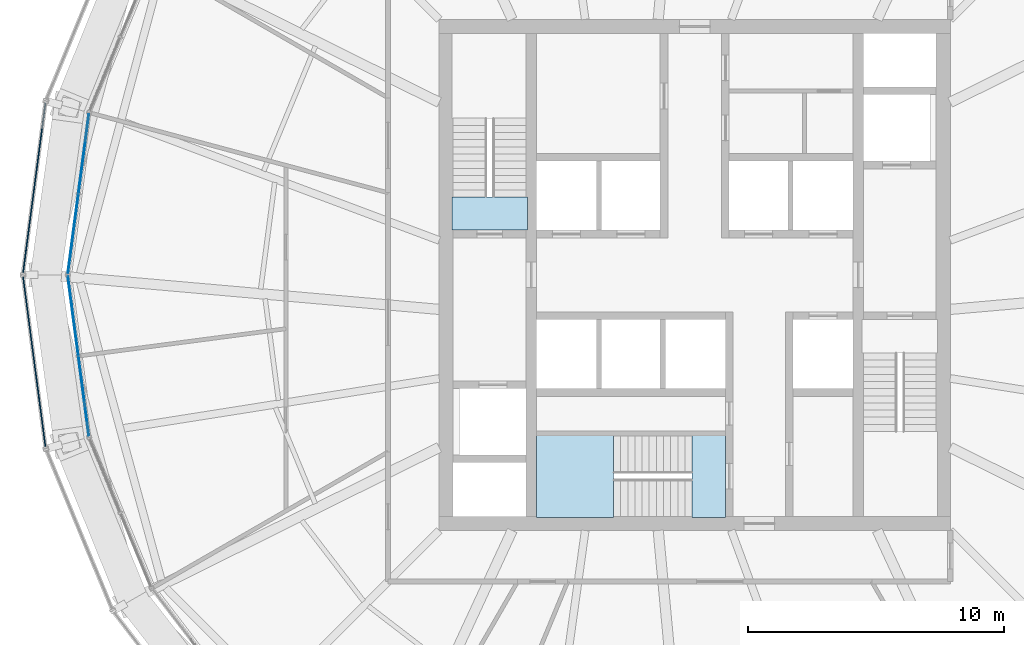
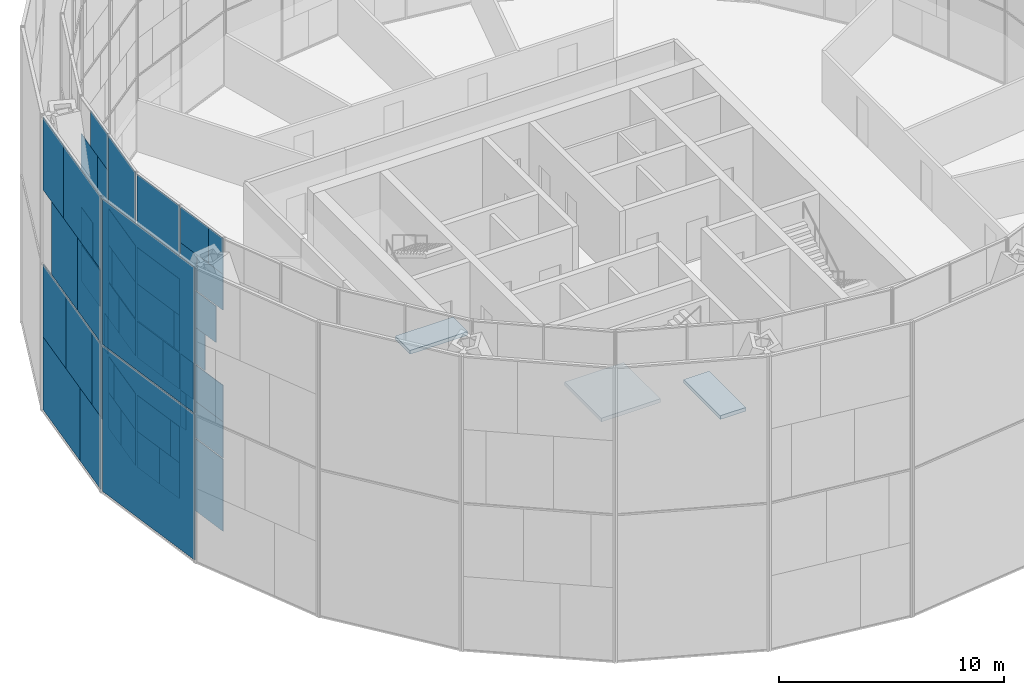
# One storey, part 16 of 29: 57 plates, 3 slabs, 5 elements without a shape of their own.
"""IFC4 building model written with IfcOpenShell, lengths in metres."""

from ifc_helpers import new_model, si_unit, direction, frame, origin, origin_2d, place, context, subcontext, project, spatial, polyline, rectangle, outline, extrude, material, layer, layer_set, type_object, element, aggregate, save


model = new_model("IFC4")

# Units and contexts
model_context = context("Model", 3, precision=1e-05, world=origin(), true_north=direction((0.0, 1.0)))
body_context = subcontext(model_context, "Body", "Model", "MODEL_VIEW")
ifc_project = project(units=[si_unit("LENGTHUNIT", "METRE"), si_unit("AREAUNIT", "SQUARE_METRE"), si_unit("VOLUMEUNIT", "CUBIC_METRE"), si_unit("PLANEANGLEUNIT", "RADIAN"), si_unit("MASSUNIT", "GRAM", prefix="KILO")], contexts=[model_context])

# Site, building, storey
site_placement = place(None, origin())
site = spatial("IfcSite", under=ifc_project, at=site_placement, CompositionType="ELEMENT")
building_placement = place(site_placement, origin())
building = spatial("IfcBuilding", under=site, at=building_placement, Name="Golbaran Civic Tower", CompositionType="ELEMENT")
storey_placement = place(building_placement, frame((0.0, 0.0, 118.0)))
storey = spatial("IfcBuildingStorey", under=building, at=storey_placement, Name="L28", CompositionType="ELEMENT", Elevation=118.0)

# Curtain wall, plates
ifc_material_1 = material(Name="Aluminium and glass", Category="aluminium")
curtain_wall_type_1 = type_object("IfcCurtainWallType", Name="INNER SKIN CURTAIN WALL", PredefinedType="NOTDEFINED", material=ifc_material_1)
curtain_wall_1_placement = place(storey_placement, origin())
curtain_wall_1 = element("IfcCurtainWall", 1, at=curtain_wall_1_placement, inside=storey, type_object=curtain_wall_type_1, Name="Inner skin L28 facet 12 CW1", ObjectType="INNER SKIN", PredefinedType="USERDEFINED")
ifc_material_2 = material(Name="Clear insulating glass", Category="glass")
ifc_layer_1 = layer(ifc_material_2, 0.031982421875, Name="Clear insulating glass")
ifc_layer_set_1 = layer_set([ifc_layer_1], Name="Clear insulating glass")
plate_type_1 = type_object("IfcPlateType", Name="INNER SKIN CURTAIN WALL GLAZED PANEL", PredefinedType="CURTAIN_PANEL", material=ifc_layer_set_1)
plate_1_placement = place(storey_placement, frame((-23.9091796875, 4.746337890625, 0.06494140625), z_axis=(0.0, 0.0, 1.0), x_axis=(-0.130526192237, -0.991444861372, 0.0)))
plate_1 = element("IfcPlate", 2, at=plate_1_placement, type_object=plate_type_1, Name="CW1 panel 1.1", PredefinedType="CURTAIN_PANEL", context=body_context, shape_type="SweptSolid", body=[
    extrude(rectangle(XDim=3.104736328125, YDim=0.031982421875, at=origin_2d()), origin(), (0.0, 0.0, 1.0), 3.902587890625),
])
plate_2_placement = place(storey_placement, frame((-23.8828125, 4.945556640625, 4.03271484375), z_axis=(0.0, 0.0, 1.0), x_axis=(-0.130526192237, -0.991444861372, 0.0)))
plate_2 = element("IfcPlate", 3, at=plate_2_placement, type_object=plate_type_1, Name="CW1 panel 1.2 part 1", PredefinedType="CURTAIN_PANEL", context=body_context, shape_type="SweptSolid", body=[
    extrude(rectangle(XDim=2.702880859375, YDim=0.031982421875, at=origin_2d()), origin(), (0.0, 0.0, 1.0), 1.967529296875),
])
plate_3_placement = place(storey_placement, frame((-23.847900390625, 5.211669921875, 6.0), z_axis=(0.0, 0.0, 1.0), x_axis=(-0.130526192237, -0.991444861372, 0.0)))
plate_3 = element("IfcPlate", 4, at=plate_3_placement, type_object=plate_type_1, Name="CW1 panel 1.2 part 3", PredefinedType="CURTAIN_PANEL", context=body_context, shape_type="SweptSolid", body=[
    extrude(rectangle(XDim=2.166015625, YDim=0.031982421875, at=origin_2d()), origin(), (0.0, 0.0, 1.0), 1.967529296875),
])
plate_4_placement = place(storey_placement, frame((-23.79296875, 5.628662109375, 8.03271484375), z_axis=(0.0, 0.0, 1.0), x_axis=(-0.130526192237, -0.991444861372, 0.0)))
plate_4 = element("IfcPlate", 5, at=plate_4_placement, type_object=plate_type_1, Name="CW1 panel 1.3 part 1", PredefinedType="CURTAIN_PANEL", context=body_context, shape_type="SweptSolid", body=[
    extrude(rectangle(XDim=1.324951171875, YDim=0.031982421875, at=origin_2d()), origin(), (0.0, 0.0, 1.0), 1.967529296875),
])
plate_5_placement = place(storey_placement, frame((-24.031494140625, 3.81787109375, 12.032470703125), z_axis=(0.0, 0.0, 1.0), x_axis=(-0.130526192237, -0.991444861372, 0.0)))
plate_5 = element("IfcPlate", 6, at=plate_5_placement, type_object=plate_type_1, Name="CW1 panel 1.4 part 2", PredefinedType="CURTAIN_PANEL", context=body_context, shape_type="SweptSolid", body=[
    extrude(rectangle(XDim=1.23193359375, YDim=0.031982421875, at=origin_2d()), origin(), (0.0, 0.0, 1.0), 1.951171875),
])
plate_6_placement = place(storey_placement, frame((-23.978759765625, 4.21826171875, 13.98388671875), z_axis=(0.0, 0.0, 1.0), x_axis=(-0.130526192237, -0.991444861372, 0.0)))
plate_6 = element("IfcPlate", 7, at=plate_6_placement, type_object=plate_type_1, Name="CW1 panel 1.4 part 4", PredefinedType="CURTAIN_PANEL", context=body_context, shape_type="SweptSolid", body=[
    extrude(rectangle(XDim=2.039794921875, YDim=0.031982421875, at=origin_2d()), origin(), (0.0, 0.0, 1.0), 1.951171875),
])
plate_7_placement = place(storey_placement, frame((-24.215576171875, 2.41943359375, 0.06494140625), z_axis=(0.0, 0.0, 1.0), x_axis=(-0.130526192237, -0.991444861372, 0.0)))
plate_7 = element("IfcPlate", 8, at=plate_7_placement, type_object=plate_type_1, Name="CW1 panel 2.1 part 1", PredefinedType="CURTAIN_PANEL", context=body_context, shape_type="SweptSolid", body=[
    extrude(rectangle(XDim=1.458984375, YDim=0.031982421875, at=origin_2d()), origin(), (0.0, 0.0, 1.0), 1.951171875),
])
plate_8_placement = place(storey_placement, frame((-24.162841796875, 2.820068359375, 2.016357421875), z_axis=(0.0, 0.0, 1.0), x_axis=(-0.130526192237, -0.991444861372, 0.0)))
plate_8 = element("IfcPlate", 9, at=plate_8_placement, type_object=plate_type_1, Name="CW1 panel 2.1 part 3", PredefinedType="CURTAIN_PANEL", context=body_context, shape_type="SweptSolid", body=[
    extrude(rectangle(XDim=0.65087890625, YDim=0.031982421875, at=origin_2d()), origin(), (0.0, 0.0, 1.0), 1.951171875),
])
plate_9_placement = place(storey_placement, frame((-24.454345703125, 0.605224609375, 4.03271484375), z_axis=(0.0, 0.0, 1.0), x_axis=(-0.130526192237, -0.991444861372, 0.0)))
plate_9 = element("IfcPlate", 10, at=plate_9_placement, type_object=plate_type_1, Name="CW1 panel 2.2 part 2", PredefinedType="CURTAIN_PANEL", context=body_context, shape_type="SweptSolid", body=[
    extrude(rectangle(XDim=1.0908203125, YDim=0.031982421875, at=origin_2d()), origin(), (0.0, 0.0, 1.0), 1.967529296875),
])
plate_10_placement = place(storey_placement, frame((-24.401123046875, 1.00927734375, 6.0), z_axis=(0.0, 0.0, 1.0), x_axis=(-0.130526192237, -0.991444861372, 0.0)))
plate_10 = element("IfcPlate", 11, at=plate_10_placement, type_object=plate_type_1, Name="CW1 panel 2.2 part 4", PredefinedType="CURTAIN_PANEL", context=body_context, shape_type="SweptSolid", body=[
    extrude(rectangle(XDim=1.90576171875, YDim=0.031982421875, at=origin_2d()), origin(), (0.0, 0.0, 1.0), 1.967529296875),
])
plate_11_placement = place(storey_placement, frame((-24.348876953125, 1.4052734375, 8.03271484375), z_axis=(0.0, 0.0, 1.0), x_axis=(-0.130526192237, -0.991444861372, 0.0)))
plate_11 = element("IfcPlate", 12, at=plate_11_placement, type_object=plate_type_1, Name="CW1 panel 2.3 part 2", PredefinedType="CURTAIN_PANEL", context=body_context, shape_type="SweptSolid", body=[
    extrude(rectangle(XDim=2.704833984375, YDim=0.031982421875, at=origin_2d()), origin(), (0.0, 0.0, 1.0), 1.967529296875),
])
plate_12_placement = place(storey_placement, frame((-24.322998046875, 1.603515625, 10.0), z_axis=(0.0, 0.0, 1.0), x_axis=(-0.130526192237, -0.991444861372, 0.0)))
plate_12 = element("IfcPlate", 13, at=plate_12_placement, type_object=plate_type_1, Name="CW1 panel 2.3 part 3", PredefinedType="CURTAIN_PANEL", context=body_context, shape_type="SweptSolid", body=[
    extrude(rectangle(XDim=3.104736328125, YDim=0.031982421875, at=origin_2d()), origin(), (0.0, 0.0, 1.0), 1.967529296875),
])
plate_13_placement = place(storey_placement, frame((-24.322998046875, 1.603515625, 12.0322265625), z_axis=(0.0, 0.0, 1.0), x_axis=(-0.130526192237, -0.991444861372, 0.0)))
plate_13 = element("IfcPlate", 14, at=plate_13_placement, type_object=plate_type_1, Name="CW1 panel 2.4", PredefinedType="CURTAIN_PANEL", context=body_context, shape_type="SweptSolid", body=[
    extrude(rectangle(XDim=3.104736328125, YDim=0.031982421875, at=origin_2d()), origin(), (0.0, 0.0, 1.0), 3.902587890625),
])

curtain_wall_2_placement = place(storey_placement, origin())
curtain_wall_2 = element("IfcCurtainWall", 15, at=curtain_wall_2_placement, inside=storey, type_object=curtain_wall_type_1, Name="Inner skin L28 facet 13 CW1", ObjectType="INNER SKIN", PredefinedType="USERDEFINED")
plate_14_placement = place(storey_placement, frame((-24.215576171875, -2.41943359375, 0.06494140625), z_axis=(0.0, 0.0, 1.0), x_axis=(0.130526192237, -0.991444861372, 0.0)))
plate_14 = element("IfcPlate", 16, at=plate_14_placement, type_object=plate_type_1, Name="CW1 panel 1.1 part 2", PredefinedType="CURTAIN_PANEL", context=body_context, shape_type="SweptSolid", body=[
    extrude(rectangle(XDim=1.458740234375, YDim=0.031982421875, at=origin_2d()), origin(), (0.0, 0.0, 1.0), 1.951171875),
])
plate_15_placement = place(storey_placement, frame((-24.162841796875, -2.819580078125, 2.016357421875), z_axis=(0.0, 0.0, 1.0), x_axis=(0.130526192237, -0.991444861372, 0.0)))
plate_15 = element("IfcPlate", 17, at=plate_15_placement, type_object=plate_type_1, Name="CW1 panel 1.1 part 4", PredefinedType="CURTAIN_PANEL", context=body_context, shape_type="SweptSolid", body=[
    extrude(rectangle(XDim=0.65185546875, YDim=0.031982421875, at=origin_2d()), origin(), (0.0, 0.0, 1.0), 1.951171875),
])
plate_16_placement = place(storey_placement, frame((-24.454345703125, -0.605224609375, 4.03271484375), z_axis=(0.0, 0.0, 1.0), x_axis=(0.130526192237, -0.991444861372, 0.0)))
plate_16 = element("IfcPlate", 18, at=plate_16_placement, type_object=plate_type_1, Name="CW1 panel 1.2 part 1", PredefinedType="CURTAIN_PANEL", context=body_context, shape_type="SweptSolid", body=[
    extrude(rectangle(XDim=1.091064453125, YDim=0.031982421875, at=origin_2d()), origin(), (0.0, 0.0, 1.0), 1.967529296875),
])
plate_17_placement = place(storey_placement, frame((-24.401123046875, -1.0087890625, 6.0), z_axis=(0.0, 0.0, 1.0), x_axis=(0.130526192237, -0.991444861372, 0.0)))
plate_17 = element("IfcPlate", 19, at=plate_17_placement, type_object=plate_type_1, Name="CW1 panel 1.2 part 3", PredefinedType="CURTAIN_PANEL", context=body_context, shape_type="SweptSolid", body=[
    extrude(rectangle(XDim=1.905029296875, YDim=0.031982421875, at=origin_2d()), origin(), (0.0, 0.0, 1.0), 1.967529296875),
])
plate_18_placement = place(storey_placement, frame((-24.34912109375, -1.404296875, 8.03271484375), z_axis=(0.0, 0.0, 1.0), x_axis=(0.130526192237, -0.991444861372, 0.0)))
plate_18 = element("IfcPlate", 20, at=plate_18_placement, type_object=plate_type_1, Name="CW1 panel 1.3 part 1", PredefinedType="CURTAIN_PANEL", context=body_context, shape_type="SweptSolid", body=[
    extrude(rectangle(XDim=2.702880859375, YDim=0.031982421875, at=origin_2d()), origin(), (0.0, 0.0, 1.0), 1.967529296875),
])
plate_19_placement = place(storey_placement, frame((-24.322998046875, -1.603515625, 10.0), z_axis=(0.0, 0.0, 1.0), x_axis=(0.130526192237, -0.991444861372, 0.0)))
plate_19 = element("IfcPlate", 21, at=plate_19_placement, type_object=plate_type_1, Name="CW1 panel 1.3 part 3", PredefinedType="CURTAIN_PANEL", context=body_context, shape_type="SweptSolid", body=[
    extrude(rectangle(XDim=3.104736328125, YDim=0.031982421875, at=origin_2d()), origin(), (0.0, 0.0, 1.0), 1.967529296875),
])
plate_20_placement = place(storey_placement, frame((-24.322998046875, -1.603515625, 12.0322265625), z_axis=(0.0, 0.0, 1.0), x_axis=(0.130526192237, -0.991444861372, 0.0)))
plate_20 = element("IfcPlate", 22, at=plate_20_placement, type_object=plate_type_1, Name="CW1 panel 1.4", PredefinedType="CURTAIN_PANEL", context=body_context, shape_type="SweptSolid", body=[
    extrude(rectangle(XDim=3.104736328125, YDim=0.031982421875, at=origin_2d()), origin(), (0.0, 0.0, 1.0), 3.902587890625),
])
plate_21_placement = place(storey_placement, frame((-23.9091796875, -4.746337890625, 0.06494140625), z_axis=(0.0, 0.0, 1.0), x_axis=(0.130526192237, -0.991444861372, 0.0)))
plate_21 = element("IfcPlate", 23, at=plate_21_placement, type_object=plate_type_1, Name="CW1 panel 2.1", PredefinedType="CURTAIN_PANEL", context=body_context, shape_type="SweptSolid", body=[
    extrude(rectangle(XDim=3.104736328125, YDim=0.031982421875, at=origin_2d()), origin(), (0.0, 0.0, 1.0), 3.902587890625),
])
plate_22_placement = place(storey_placement, frame((-23.883056640625, -4.945068359375, 4.03271484375), z_axis=(0.0, 0.0, 1.0), x_axis=(0.130526192237, -0.991444861372, 0.0)))
plate_22 = element("IfcPlate", 24, at=plate_22_placement, type_object=plate_type_1, Name="CW1 panel 2.2 part 2", PredefinedType="CURTAIN_PANEL", context=body_context, shape_type="SweptSolid", body=[
    extrude(rectangle(XDim=2.703857421875, YDim=0.031982421875, at=origin_2d()), origin(), (0.0, 0.0, 1.0), 1.967529296875),
])
plate_23_placement = place(storey_placement, frame((-23.847900390625, -5.211669921875, 6.0), z_axis=(0.0, 0.0, 1.0), x_axis=(0.130526192237, -0.991444861372, 0.0)))
plate_23 = element("IfcPlate", 25, at=plate_23_placement, type_object=plate_type_1, Name="CW1 panel 2.2 part 4", PredefinedType="CURTAIN_PANEL", context=body_context, shape_type="SweptSolid", body=[
    extrude(rectangle(XDim=2.165771484375, YDim=0.031982421875, at=origin_2d()), origin(), (0.0, 0.0, 1.0), 1.967529296875),
])
plate_24_placement = place(storey_placement, frame((-24.03125, -3.81787109375, 12.032470703125), z_axis=(0.0, 0.0, 1.0), x_axis=(0.130526192237, -0.991444861372, 0.0)))
plate_24 = element("IfcPlate", 26, at=plate_24_placement, type_object=plate_type_1, Name="CW1 panel 2.4 part 1", PredefinedType="CURTAIN_PANEL", context=body_context, shape_type="SweptSolid", body=[
    extrude(rectangle(XDim=1.23193359375, YDim=0.031982421875, at=origin_2d()), origin(), (0.0, 0.0, 1.0), 1.951171875),
])
plate_25_placement = place(storey_placement, frame((-23.978515625, -4.218505859375, 13.98388671875), z_axis=(0.0, 0.0, 1.0), x_axis=(0.130526192237, -0.991444861372, 0.0)))
plate_25 = element("IfcPlate", 27, at=plate_25_placement, type_object=plate_type_1, Name="CW1 panel 2.4 part 3", PredefinedType="CURTAIN_PANEL", context=body_context, shape_type="SweptSolid", body=[
    extrude(rectangle(XDim=2.0400390625, YDim=0.031982421875, at=origin_2d()), origin(), (0.0, 0.0, 1.0), 1.951171875),
])

# Plate
ifc_material_3 = material(Name="Aluminium faced opaque infill panel", Category="aluminium")
ifc_layer_2 = layer(ifc_material_3, 0.031982421875, Name="Aluminium faced opaque infill panel")
ifc_layer_set_2 = layer_set([ifc_layer_2], Name="Aluminium faced opaque infill panel")
plate_type_2 = type_object("IfcPlateType", Name="INNER SKIN CURTAIN WALL OPAQUE INFILL PANEL", PredefinedType="CURTAIN_PANEL", material=ifc_layer_set_2)
plate_26_placement = place(storey_placement, frame((-24.08544921875, 3.40625, 4.03271484375), z_axis=(0.0, 0.0, 1.0), x_axis=(-0.130526192237, -0.991444861372, 0.0)))
plate_26 = element("IfcPlate", 28, at=plate_26_placement, type_object=plate_type_2, Name="CW1 infill panel 1.2 part 2", PredefinedType="CURTAIN_PANEL", context=body_context, shape_type="SweptSolid", body=[
    extrude(rectangle(XDim=0.40185546875, YDim=0.031982421875, at=origin_2d()), origin(), (0.0, 0.0, 1.0), 1.967529296875),
])

plate_27_placement = place(storey_placement, frame((-24.050537109375, 3.672607421875, 6.0), z_axis=(0.0, 0.0, 1.0), x_axis=(-0.130526192237, -0.991444861372, 0.0)))
plate_27 = element("IfcPlate", 29, at=plate_27_placement, type_object=plate_type_2, Name="CW1 infill panel 1.2 part 4", PredefinedType="CURTAIN_PANEL", context=body_context, shape_type="SweptSolid", body=[
    extrude(rectangle(XDim=0.938720703125, YDim=0.031982421875, at=origin_2d()), origin(), (0.0, 0.0, 1.0), 1.967529296875),
])

plate_28_placement = place(storey_placement, frame((-23.99560546875, 4.08935546875, 8.03271484375), z_axis=(0.0, 0.0, 1.0), x_axis=(-0.130526192237, -0.991444861372, 0.0)))
plate_28 = element("IfcPlate", 30, at=plate_28_placement, type_object=plate_type_2, Name="CW1 infill panel 1.3 part 2", PredefinedType="CURTAIN_PANEL", context=body_context, shape_type="SweptSolid", body=[
    extrude(rectangle(XDim=1.77978515625, YDim=0.031982421875, at=origin_2d()), origin(), (0.0, 0.0, 1.0), 1.967529296875),
])

plate_29_placement = place(storey_placement, frame((-23.9423828125, 4.493408203125, 10.0), z_axis=(0.0, 0.0, 1.0), x_axis=(-0.130526192237, -0.991444861372, 0.0)))
plate_29 = element("IfcPlate", 31, at=plate_29_placement, type_object=plate_type_2, Name="CW1 infill panel 1.3 part 4", PredefinedType="CURTAIN_PANEL", context=body_context, shape_type="SweptSolid", body=[
    extrude(rectangle(XDim=2.5947265625, YDim=0.031982421875, at=origin_2d()), origin(), (0.0, 0.0, 1.0), 1.967529296875),
])

plate_30_placement = place(storey_placement, frame((-23.828857421875, 5.35693359375, 12.032470703125), z_axis=(0.0, 0.0, 1.0), x_axis=(-0.130526192237, -0.991444861372, 0.0)))
plate_30 = element("IfcPlate", 32, at=plate_30_placement, type_object=plate_type_2, Name="CW1 infill panel 1.4 part 1", PredefinedType="CURTAIN_PANEL", context=body_context, shape_type="SweptSolid", body=[
    extrude(rectangle(XDim=1.873046875, YDim=0.031982421875, at=origin_2d()), origin(), (0.0, 0.0, 1.0), 1.951171875),
])

plate_31_placement = place(storey_placement, frame((-24.418212890625, 0.88037109375, 0.06494140625), z_axis=(0.0, 0.0, 1.0), x_axis=(-0.130526192237, -0.991444861372, 0.0)))
plate_31 = element("IfcPlate", 33, at=plate_31_placement, type_object=plate_type_2, Name="CW1 infill panel 2.1 part 2", PredefinedType="CURTAIN_PANEL", context=body_context, shape_type="SweptSolid", body=[
    extrude(rectangle(XDim=1.645751953125, YDim=0.031982421875, at=origin_2d()), origin(), (0.0, 0.0, 1.0), 1.951171875),
])

plate_32_placement = place(storey_placement, frame((-24.365478515625, 1.28076171875, 2.016357421875), z_axis=(0.0, 0.0, 1.0), x_axis=(-0.130526192237, -0.991444861372, 0.0)))
plate_32 = element("IfcPlate", 34, at=plate_32_placement, type_object=plate_type_2, Name="CW1 infill panel 2.1 part 4", PredefinedType="CURTAIN_PANEL", context=body_context, shape_type="SweptSolid", body=[
    extrude(rectangle(XDim=2.453857421875, YDim=0.031982421875, at=origin_2d()), origin(), (0.0, 0.0, 1.0), 1.951171875),
])

plate_33_placement = place(storey_placement, frame((-24.251708984375, 2.144287109375, 4.03271484375), z_axis=(0.0, 0.0, 1.0), x_axis=(-0.130526192237, -0.991444861372, 0.0)))
plate_33 = element("IfcPlate", 35, at=plate_33_placement, type_object=plate_type_2, Name="CW1 infill panel 2.2 part 1", PredefinedType="CURTAIN_PANEL", context=body_context, shape_type="SweptSolid", body=[
    extrude(rectangle(XDim=2.013916015625, YDim=0.031982421875, at=origin_2d()), origin(), (0.0, 0.0, 1.0), 1.967529296875),
])

plate_34_placement = place(storey_placement, frame((-24.198486328125, 2.54833984375, 6.0), z_axis=(0.0, 0.0, 1.0), x_axis=(-0.130526192237, -0.991444861372, 0.0)))
plate_34 = element("IfcPlate", 36, at=plate_34_placement, type_object=plate_type_2, Name="CW1 infill panel 2.2 part 3", PredefinedType="CURTAIN_PANEL", context=body_context, shape_type="SweptSolid", body=[
    extrude(rectangle(XDim=1.198974609375, YDim=0.031982421875, at=origin_2d()), origin(), (0.0, 0.0, 1.0), 1.967529296875),
])

plate_35_placement = place(storey_placement, frame((-24.146240234375, 2.9443359375, 8.03271484375), z_axis=(0.0, 0.0, 1.0), x_axis=(-0.130526192237, -0.991444861372, 0.0)))
plate_35 = element("IfcPlate", 37, at=plate_35_placement, type_object=plate_type_2, Name="CW1 infill panel 2.3 part 1", PredefinedType="CURTAIN_PANEL", context=body_context, shape_type="SweptSolid", body=[
    extrude(rectangle(XDim=0.39990234375, YDim=0.031982421875, at=origin_2d()), origin(), (0.0, 0.0, 1.0), 1.967529296875),
])

aggregate(curtain_wall_1, [plate_1, plate_2, plate_26, plate_3, plate_27, plate_4, plate_28, plate_29, plate_30, plate_5, plate_6, plate_7, plate_31, plate_8, plate_32, plate_33, plate_9, plate_34, plate_10, plate_35, plate_11, plate_12, plate_13])

plate_36_placement = place(storey_placement, frame((-24.418212890625, -0.88037109375, 0.06494140625), z_axis=(0.0, 0.0, 1.0), x_axis=(0.130526192237, -0.991444861372, 0.0)))
plate_36 = element("IfcPlate", 38, at=plate_36_placement, type_object=plate_type_2, Name="CW1 infill panel 1.1 part 1", PredefinedType="CURTAIN_PANEL", context=body_context, shape_type="SweptSolid", body=[
    extrude(rectangle(XDim=1.64599609375, YDim=0.031982421875, at=origin_2d()), origin(), (0.0, 0.0, 1.0), 1.951171875),
])

plate_37_placement = place(storey_placement, frame((-24.365478515625, -1.280517578125, 2.016357421875), z_axis=(0.0, 0.0, 1.0), x_axis=(0.130526192237, -0.991444861372, 0.0)))
plate_37 = element("IfcPlate", 39, at=plate_37_placement, type_object=plate_type_2, Name="CW1 infill panel 1.1 part 3", PredefinedType="CURTAIN_PANEL", context=body_context, shape_type="SweptSolid", body=[
    extrude(rectangle(XDim=2.452880859375, YDim=0.031982421875, at=origin_2d()), origin(), (0.0, 0.0, 1.0), 1.951171875),
])

plate_38_placement = place(storey_placement, frame((-24.251708984375, -2.14453125, 4.03271484375), z_axis=(0.0, 0.0, 1.0), x_axis=(0.130526192237, -0.991444861372, 0.0)))
plate_38 = element("IfcPlate", 40, at=plate_38_placement, type_object=plate_type_2, Name="CW1 infill panel 1.2 part 2", PredefinedType="CURTAIN_PANEL", context=body_context, shape_type="SweptSolid", body=[
    extrude(rectangle(XDim=2.013916015625, YDim=0.031982421875, at=origin_2d()), origin(), (0.0, 0.0, 1.0), 1.967529296875),
])

plate_39_placement = place(storey_placement, frame((-24.198486328125, -2.5478515625, 6.0), z_axis=(0.0, 0.0, 1.0), x_axis=(0.130526192237, -0.991444861372, 0.0)))
plate_39 = element("IfcPlate", 41, at=plate_39_placement, type_object=plate_type_2, Name="CW1 infill panel 1.2 part 4", PredefinedType="CURTAIN_PANEL", context=body_context, shape_type="SweptSolid", body=[
    extrude(rectangle(XDim=1.199951171875, YDim=0.031982421875, at=origin_2d()), origin(), (0.0, 0.0, 1.0), 1.967529296875),
])

plate_40_placement = place(storey_placement, frame((-24.146484375, -2.943603515625, 8.03271484375), z_axis=(0.0, 0.0, 1.0), x_axis=(0.130526192237, -0.991444861372, 0.0)))
plate_40 = element("IfcPlate", 42, at=plate_40_placement, type_object=plate_type_2, Name="CW1 infill panel 1.3 part 2", PredefinedType="CURTAIN_PANEL", context=body_context, shape_type="SweptSolid", body=[
    extrude(rectangle(XDim=0.40185546875, YDim=0.031982421875, at=origin_2d()), origin(), (0.0, 0.0, 1.0), 1.967529296875),
])

plate_41_placement = place(storey_placement, frame((-24.085693359375, -3.406005859375, 4.03271484375), z_axis=(0.0, 0.0, 1.0), x_axis=(0.130526192237, -0.991444861372, 0.0)))
plate_41 = element("IfcPlate", 43, at=plate_41_placement, type_object=plate_type_2, Name="CW1 infill panel 2.2 part 1", PredefinedType="CURTAIN_PANEL", context=body_context, shape_type="SweptSolid", body=[
    extrude(rectangle(XDim=0.40087890625, YDim=0.031982421875, at=origin_2d()), origin(), (0.0, 0.0, 1.0), 1.967529296875),
])

plate_42_placement = place(storey_placement, frame((-24.050537109375, -3.672607421875, 6.0), z_axis=(0.0, 0.0, 1.0), x_axis=(0.130526192237, -0.991444861372, 0.0)))
plate_42 = element("IfcPlate", 44, at=plate_42_placement, type_object=plate_type_2, Name="CW1 infill panel 2.2 part 3", PredefinedType="CURTAIN_PANEL", context=body_context, shape_type="SweptSolid", body=[
    extrude(rectangle(XDim=0.93896484375, YDim=0.031982421875, at=origin_2d()), origin(), (0.0, 0.0, 1.0), 1.967529296875),
])

plate_43_placement = place(storey_placement, frame((-23.99560546875, -4.089599609375, 8.03271484375), z_axis=(0.0, 0.0, 1.0), x_axis=(0.130526192237, -0.991444861372, 0.0)))
plate_43 = element("IfcPlate", 45, at=plate_43_placement, type_object=plate_type_2, Name="CW1 infill panel 2.3 part 1", PredefinedType="CURTAIN_PANEL", context=body_context, shape_type="SweptSolid", body=[
    extrude(rectangle(XDim=1.780029296875, YDim=0.031982421875, at=origin_2d()), origin(), (0.0, 0.0, 1.0), 1.967529296875),
])

plate_44_placement = place(storey_placement, frame((-23.9423828125, -4.49365234375, 10.0), z_axis=(0.0, 0.0, 1.0), x_axis=(0.130526192237, -0.991444861372, 0.0)))
plate_44 = element("IfcPlate", 46, at=plate_44_placement, type_object=plate_type_2, Name="CW1 infill panel 2.3 part 3", PredefinedType="CURTAIN_PANEL", context=body_context, shape_type="SweptSolid", body=[
    extrude(rectangle(XDim=2.594970703125, YDim=0.031982421875, at=origin_2d()), origin(), (0.0, 0.0, 1.0), 1.967529296875),
])

plate_45_placement = place(storey_placement, frame((-23.82861328125, -5.35693359375, 12.032470703125), z_axis=(0.0, 0.0, 1.0), x_axis=(0.130526192237, -0.991444861372, 0.0)))
plate_45 = element("IfcPlate", 47, at=plate_45_placement, type_object=plate_type_2, Name="CW1 infill panel 2.4 part 2", PredefinedType="CURTAIN_PANEL", context=body_context, shape_type="SweptSolid", body=[
    extrude(rectangle(XDim=1.872802734375, YDim=0.031982421875, at=origin_2d()), origin(), (0.0, 0.0, 1.0), 1.951171875),
])

plate_46_placement = place(storey_placement, frame((-23.776123046875, -5.757568359375, 13.98388671875), z_axis=(0.0, 0.0, 1.0), x_axis=(0.130526192237, -0.991444861372, 0.0)))
plate_46 = element("IfcPlate", 48, at=plate_46_placement, type_object=plate_type_2, Name="CW1 infill panel 2.4 part 4", PredefinedType="CURTAIN_PANEL", context=body_context, shape_type="SweptSolid", body=[
    extrude(rectangle(XDim=1.06494140625, YDim=0.031982421875, at=origin_2d()), origin(), (0.0, 0.0, 1.0), 1.951171875),
])

aggregate(curtain_wall_2, [plate_36, plate_14, plate_37, plate_15, plate_16, plate_38, plate_17, plate_39, plate_18, plate_40, plate_19, plate_20, plate_21, plate_41, plate_22, plate_42, plate_23, plate_43, plate_44, plate_24, plate_45, plate_25, plate_46])

# Curtain wall, plates
curtain_wall_type_2 = type_object("IfcCurtainWallType", Name="OUTER SKIN TERRACOTTA SCREEN", PredefinedType="NOTDEFINED", material=ifc_material_1)
curtain_wall_3_placement = place(storey_placement, origin())
curtain_wall_3 = element("IfcCurtainWall", 49, at=curtain_wall_3_placement, inside=storey, type_object=curtain_wall_type_2, Name="Outer skin L28 facet 12 CW3", ObjectType="OUTER SKIN", PredefinedType="USERDEFINED")
ifc_material_4 = material(Name="Clear laminated glass", Category="glass")
ifc_layer_3 = layer(ifc_material_4, 0.0400390625, Name="Clear laminated glass")
ifc_layer_set_3 = layer_set([ifc_layer_3], Name="Clear laminated glass")
plate_type_3 = type_object("IfcPlateType", Name="OUTER SKIN CLEAR GLASS PANEL", PredefinedType="CURTAIN_PANEL", material=ifc_layer_set_3)
plate_47_placement = place(storey_placement, frame((-25.688720703125, 4.59033203125, -0.6298828125), z_axis=(0.0, 0.0, 1.0), x_axis=(-0.130526192168, -0.991444861381, 0.0)))
plate_47 = element("IfcPlate", 50, at=plate_47_placement, type_object=plate_type_3, Name="CW3 panel 1.1 part 1", PredefinedType="CURTAIN_PANEL", context=body_context, shape_type="SweptSolid", body=[
    extrude(rectangle(XDim=4.30810546875, YDim=0.0400390625, at=origin_2d()), origin(), (0.0, 0.0, 1.0), 3.93994140625),
])
plate_48_placement = place(storey_placement, frame((-25.582275390625, 5.398681640625, 3.31005859375), z_axis=(0.0, 0.0, 1.0), x_axis=(-0.130526192168, -0.991444861381, 0.0)))
plate_48 = element("IfcPlate", 51, at=plate_48_placement, type_object=plate_type_3, Name="CW3 panel 1.1 part 3", PredefinedType="CURTAIN_PANEL", context=body_context, shape_type="SweptSolid", body=[
    extrude(rectangle(XDim=2.677001953125, YDim=0.0400390625, at=origin_2d()), origin(), (0.0, 0.0, 1.0), 3.93994140625),
])
plate_49_placement = place(storey_placement, frame((-26.216796875, 0.578369140625, 3.31005859375), z_axis=(0.0, 0.0, 1.0), x_axis=(-0.130526192168, -0.991444861381, 0.0)))
plate_49 = element("IfcPlate", 52, at=plate_49_placement, type_object=plate_type_3, Name="CW3 panel 1.1 part 5", PredefinedType="CURTAIN_PANEL", context=body_context, shape_type="SweptSolid", body=[
    extrude(rectangle(XDim=1.0068359375, YDim=0.0400390625, at=origin_2d()), origin(), (0.0, 0.0, 1.0), 3.93994140625),
])
plate_50_placement = place(storey_placement, frame((-26.108154296875, 1.4033203125, 7.330078125), z_axis=(0.0, 0.0, 1.0), x_axis=(-0.130526192168, -0.991444861381, 0.0)))
plate_50 = element("IfcPlate", 53, at=plate_50_placement, type_object=plate_type_3, Name="CW3 panel 1.2 part 3", PredefinedType="CURTAIN_PANEL", context=body_context, shape_type="SweptSolid", body=[
    extrude(rectangle(XDim=2.6708984375, YDim=0.0400390625, at=origin_2d()), origin(), (0.0, 0.0, 1.0), 3.93994140625),
])
plate_51_placement = place(storey_placement, frame((-26.001953125, 2.21142578125, 11.27001953125), z_axis=(0.0, 0.0, 1.0), x_axis=(-0.130526192168, -0.991444861381, 0.0)))
plate_51 = element("IfcPlate", 54, at=plate_51_placement, type_object=plate_type_3, Name="CW3 panel 1.2 part 5", PredefinedType="CURTAIN_PANEL", context=body_context, shape_type="SweptSolid", body=[
    extrude(rectangle(XDim=4.30078125, YDim=0.0400390625, at=origin_2d()), origin(), (0.0, 0.0, 1.0), 3.93994140625),
])
ifc_material_5 = material(Name="Terracotta baguette screen", Category="masonry")
ifc_layer_4 = layer(ifc_material_5, 0.0400390625, Name="Terracotta baguette screen")
ifc_layer_set_4 = layer_set([ifc_layer_4], Name="Terracotta baguette screen")
plate_type_4 = type_object("IfcPlateType", Name="OUTER SKIN TERRACOTTA INFILL PANEL", PredefinedType="CURTAIN_PANEL", material=ifc_layer_set_4)
plate_52_placement = place(storey_placement, frame((-26.126220703125, 1.26708984375, -0.6298828125), z_axis=(0.0, 0.0, 1.0), x_axis=(-0.130526192168, -0.991444861381, 0.0)))
plate_52 = element("IfcPlate", 55, at=plate_52_placement, type_object=plate_type_4, Name="CW3 infill panel 1.1 part 2", PredefinedType="CURTAIN_PANEL", context=body_context, shape_type="SweptSolid", body=[
    extrude(rectangle(XDim=2.395751953125, YDim=0.0400390625, at=origin_2d()), origin(), (0.0, 0.0, 1.0), 3.93994140625),
])
plate_53_placement = place(storey_placement, frame((-25.9541015625, 2.57470703125, 3.31005859375), z_axis=(0.0, 0.0, 1.0), x_axis=(-0.130526192168, -0.991444861381, 0.0)))
plate_53 = element("IfcPlate", 56, at=plate_53_placement, type_object=plate_type_4, Name="CW3 infill panel 1.1 part 4", PredefinedType="CURTAIN_PANEL", context=body_context, shape_type="SweptSolid", body=[
    extrude(rectangle(XDim=3.02001953125, YDim=0.0400390625, at=origin_2d()), origin(), (0.0, 0.0, 1.0), 3.93994140625),
])
plate_54_placement = place(storey_placement, frame((-25.73681640625, 4.223876953125, 7.330078125), z_axis=(0.0, 0.0, 1.0), x_axis=(-0.130526192168, -0.991444861381, 0.0)))
plate_54 = element("IfcPlate", 57, at=plate_54_placement, type_object=plate_type_4, Name="CW3 infill panel 1.2 part 2", PredefinedType="CURTAIN_PANEL", context=body_context, shape_type="SweptSolid", body=[
    extrude(rectangle(XDim=3.01904296875, YDim=0.0400390625, at=origin_2d()), origin(), (0.0, 0.0, 1.0), 3.93994140625),
])
plate_55_placement = place(storey_placement, frame((-25.564453125, 5.53466796875, 11.27001953125), z_axis=(0.0, 0.0, 1.0), x_axis=(-0.130526192168, -0.991444861381, 0.0)))
plate_55 = element("IfcPlate", 58, at=plate_55_placement, type_object=plate_type_4, Name="CW3 infill panel 1.2 part 4", PredefinedType="CURTAIN_PANEL", context=body_context, shape_type="SweptSolid", body=[
    extrude(rectangle(XDim=2.403076171875, YDim=0.0400390625, at=origin_2d()), origin(), (0.0, 0.0, 1.0), 3.93994140625),
])
aggregate(curtain_wall_3, [plate_47, plate_52, plate_48, plate_53, plate_49, plate_54, plate_50, plate_55, plate_51])

curtain_wall_4_placement = place(storey_placement, origin())
curtain_wall_4 = element("IfcCurtainWall", 59, at=curtain_wall_4_placement, inside=storey, type_object=curtain_wall_type_2, Name="Outer skin L28 facet 13 CW3", ObjectType="OUTER SKIN", PredefinedType="USERDEFINED")
ifc_layer_5 = layer(ifc_material_5, 0.0400390625, Name="Terracotta baguette screen")
ifc_layer_set_5 = layer_set([ifc_layer_5], Name="Terracotta baguette screen")
plate_type_5 = type_object("IfcPlateType", Name="OUTER SKIN TERRACOTTA SCREEN PANEL", PredefinedType="CURTAIN_PANEL", material=ifc_layer_set_5)
plate_56_placement = place(storey_placement, frame((-25.844970703125, -3.402587890625, -0.6298828125), z_axis=(0.0, 0.0, 1.0), x_axis=(0.130526192168, -0.991444861381, 0.0)))
plate_56 = element("IfcPlate", 60, at=plate_56_placement, type_object=plate_type_5, Name="CW3 terracotta screen panel 1.1", PredefinedType="CURTAIN_PANEL", context=body_context, shape_type="SweptSolid", body=[
    extrude(rectangle(XDim=6.703857421875, YDim=0.0400390625, at=origin_2d()), origin(), (0.0, 0.0, 1.0), 7.8798828125),
])
plate_57_placement = place(storey_placement, frame((-25.844970703125, -3.402587890625, 7.330078125), z_axis=(0.0, 0.0, 1.0), x_axis=(0.130526192168, -0.991444861381, 0.0)))
plate_57 = element("IfcPlate", 61, at=plate_57_placement, type_object=plate_type_5, Name="CW3 terracotta screen panel 1.2", PredefinedType="CURTAIN_PANEL", context=body_context, shape_type="SweptSolid", body=[
    extrude(rectangle(XDim=6.703857421875, YDim=0.0400390625, at=origin_2d()), origin(), (0.0, 0.0, 1.0), 7.8798828125),
])
aggregate(curtain_wall_4, [plate_56, plate_57])

# Slab
ifc_material_6 = material(Name="Concrete C35/45", Category="concrete")
ifc_layer_6 = layer(ifc_material_6, 0.199951171875, Name="Concrete C35/45")
ifc_layer_set_6 = layer_set([ifc_layer_6], Name="Concrete C35/45")
slab_type = type_object("IfcSlabType", Name="STAIR LANDING 200", PredefinedType="LANDING", material=ifc_layer_set_6)
slab_1_placement = place(storey_placement, frame((0.0, 0.0, -0.199951171875)))
element("IfcSlab", 62, at=slab_1_placement, inside=storey, type_object=slab_type, Name="Stair S1 floor landing L28", PredefinedType="LANDING", context=body_context, shape_type="SweptSolid", body=[
    extrude(outline(polyline([(-9.5, 1.75), (-9.5, 3.054931640625), (-6.550048828125, 3.054931640625), (-6.550048828125, 1.75), (-9.5, 1.75)])), origin(), (0.0, 0.0, 1.0), 0.199951171875),
])

# Stair, slab
stair_type = type_object("IfcStairType", Name="EXIT STAIR 3150 x 7400, 4000 RISE", PredefinedType="HALF_TURN_STAIR", material=ifc_material_6)
stair_placement = place(storey_placement, origin())
stair = element("IfcStair", 63, at=stair_placement, inside=storey, type_object=stair_type, Name="Stair S3 L28", PredefinedType="HALF_TURN_STAIR")
slab_2_placement = place(storey_placement, frame((0.0, 0.0, 1.800048828125)))
slab_2 = element("IfcSlab", 64, at=slab_2_placement, type_object=slab_type, Name="ST31574-40 landing 1", PredefinedType="LANDING", context=body_context, shape_type="SweptSolid", body=[
    extrude(outline(polyline([(-3.175048828125, -9.5), (-6.199951171875, -9.5), (-6.199951171875, -6.25), (-3.175048828125, -6.25), (-3.175048828125, -9.5)])), origin(), (0.0, 0.0, 1.0), 0.199951171875),
])
aggregate(stair, [slab_2])

# Slab
slab_3_placement = place(storey_placement, frame((0.0, 0.0, -0.199951171875)))
element("IfcSlab", 65, at=slab_3_placement, inside=storey, type_object=slab_type, Name="Stair S3 floor landing L28", PredefinedType="LANDING", context=body_context, shape_type="SweptSolid", body=[
    extrude(outline(polyline([(1.199951171875, -9.5), (-0.10498046875, -9.5), (-0.10498046875, -6.25), (1.199951171875, -6.25), (1.199951171875, -9.5)])), origin(), (0.0, 0.0, 1.0), 0.199951171875),
])

save(model, "model.ifc")
